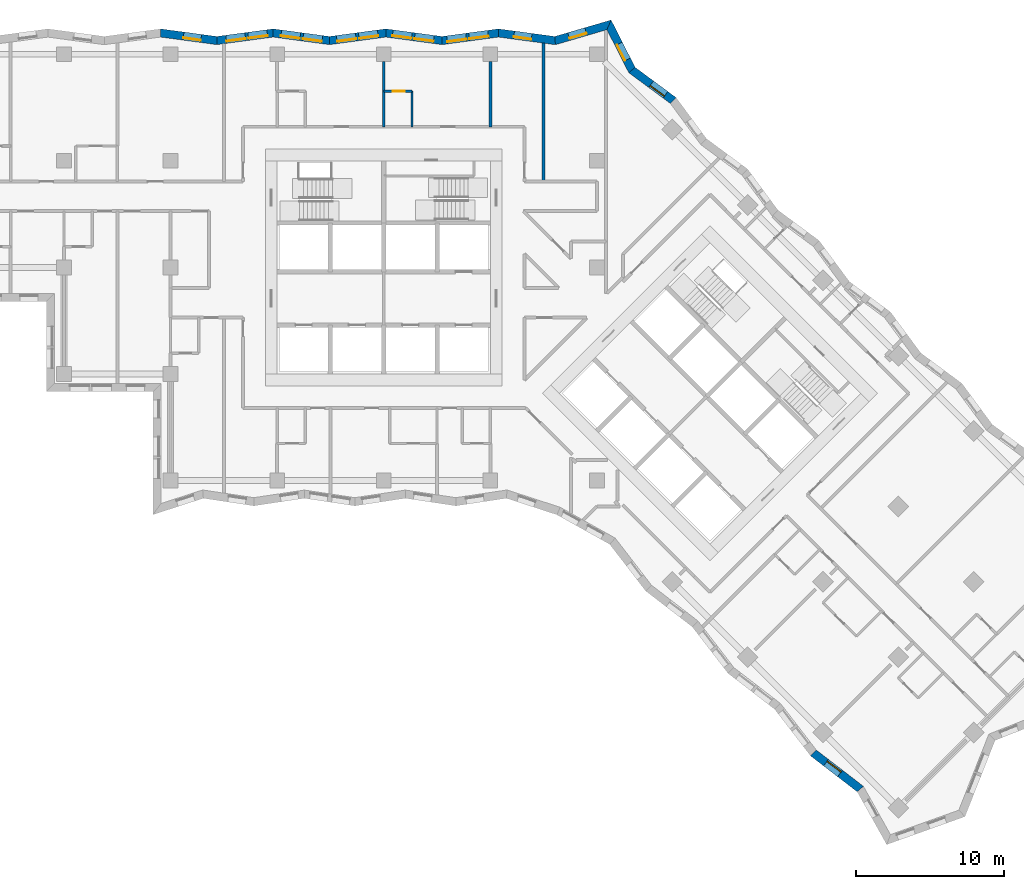
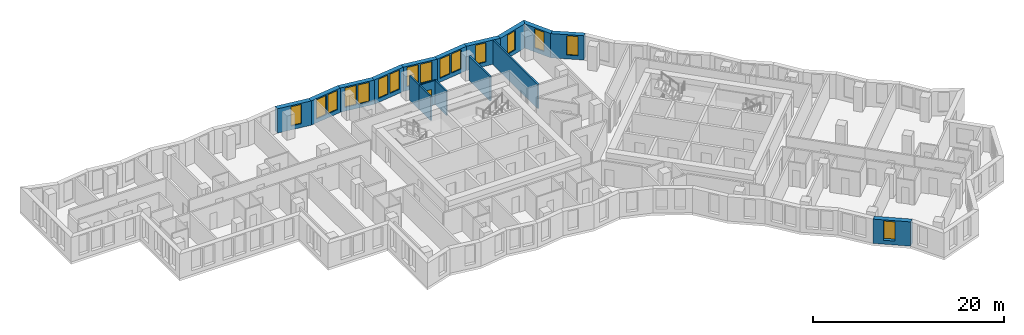
# One storey, part 7 of 13: 17 walls, 16 windows, 1 door, 17 openings.
"""IFC4 building model written with IfcOpenShell, lengths in metres."""

from ifc_helpers import new_model, si_unit, direction, frame, frame_2d, origin, place, context, subcontext, project, spatial, polyline, rectangle, outline, extrude, material, layer, layer_set, type_object, element, fill, save


model = new_model("IFC4")

# Units and contexts
model_context = context("Model", 3, precision=1e-05, world=origin(), true_north=direction((0.0, 1.0)))
body_context = subcontext(model_context, "Body", "Model", "MODEL_VIEW")
ifc_project = project(units=[si_unit("LENGTHUNIT", "METRE"), si_unit("AREAUNIT", "SQUARE_METRE"), si_unit("VOLUMEUNIT", "CUBIC_METRE"), si_unit("PLANEANGLEUNIT", "RADIAN"), si_unit("MASSUNIT", "GRAM", prefix="KILO")], contexts=[model_context])

# Site, building, storey
site_placement = place(None, origin())
site = spatial("IfcSite", under=ifc_project, at=site_placement, CompositionType="ELEMENT")
building_placement = place(site_placement, origin())
building = spatial("IfcBuilding", under=site, at=building_placement, Name="Windrow Commons", CompositionType="ELEMENT")
storey_placement = place(building_placement, frame((0.0, 0.0, 105.0)))
storey = spatial("IfcBuildingStorey", under=building, at=storey_placement, Name="L28", CompositionType="ELEMENT", Elevation=105.0)

# Wall, opening, window
ifc_material_1 = material(Name="Brick masonry, red clay brick", Category="masonry")
ifc_layer_1 = layer(ifc_material_1, 0.55)
ifc_layer_set_1 = layer_set([ifc_layer_1], Name="Brick facade wall 550")
wall_type_1 = type_object("IfcWallType", Name="Brick facade wall 550", PredefinedType="SOLIDWALL", material=ifc_layer_set_1)
wall_1_placement = place(storey_placement, frame((84.3611, 68.8668, 0.0), z_axis=(0.0, 0.0, 1.0), x_axis=(-0.8042329816, 0.594314152, 0.0)))
wall_1 = element("IfcWall", 1, at=wall_1_placement, inside=storey, type_object=wall_type_1, Name="Brick facade wall L28 19", PredefinedType="SOLIDWALL", context=body_context, shape_type="SweptSolid", body=[
    extrude(outline(polyline([(-0.0413, -0.275), (3.4082, -0.275), (3.5382, 0.275), (0.0413, 0.275), (-0.0413, -0.275)])), origin(), (0.0, 0.0, 1.0), 3.1),
])
opening_1_placement = place(wall_1_placement, frame((0.6658, 0.0, 0.5)))
opening_1 = element("IfcOpeningElement", 2, at=opening_1_placement, cuts=wall_1, Name="Opening W7D", PredefinedType="OPENING", context=body_context, shape_type="SweptSolid", body=[
    extrude(rectangle(XDim=1.2, YDim=2.45, at=frame_2d((0.6, 1.225))), frame((0.0, 0.285, 0.0), z_axis=(0.0, -1.0, 0.0), x_axis=(1.0, 0.0, 0.0)), (0.0, 0.0, 1.0), 0.57),
])
ifc_material_2 = material(Name="Clear float glass in anodised aluminium frame", Category="aluminium")
window_type_1 = type_object("IfcWindowType", Name="Window W7 notch 1200x2450", PartitioningType="SINGLE_PANEL", PredefinedType="WINDOW", material=ifc_material_2)
window_1_placement = place(opening_1_placement, origin())
window_1 = element("IfcWindow", 3, at=window_1_placement, inside=storey, type_object=window_type_1, Name="Window L28 19.1", OverallHeight=2.45, OverallWidth=1.2, PartitioningType="SINGLE_PANEL", PredefinedType="WINDOW", context=body_context, shape_type="SweptSolid", body=[
    extrude(rectangle(XDim=1.2, YDim=2.45, at=frame_2d((0.6, 1.225))), frame((0.0, 0.155, 0.0), z_axis=(0.0, -1.0, 0.0), x_axis=(1.0, 0.0, 0.0)), (0.0, 0.0, 1.0), 0.06),
])
fill(opening_1, window_1)

wall_2_placement = place(storey_placement, frame((81.5678, 70.931, 0.0), z_axis=(0.0, 0.0, 1.0), x_axis=(-0.4531369623, 0.8914409085, 0.0)))
wall_2 = element("IfcWall", 4, at=wall_2_placement, inside=storey, type_object=wall_type_1, Name="Brick facade wall L28 20", PredefinedType="SOLIDWALL", context=body_context, shape_type="SweptSolid", body=[
    extrude(outline(polyline([(0.065, -0.275), (3.6529, -0.275), (3.1967, 0.275), (-0.065, 0.275), (0.065, -0.275)])), origin(), (0.0, 0.0, 1.0), 3.1),
])
opening_2_placement = place(wall_2_placement, frame((0.778, 0.0, 0.5)))
opening_2 = element("IfcOpeningElement", 5, at=opening_2_placement, cuts=wall_2, Name="Opening W7D", PredefinedType="OPENING", context=body_context, shape_type="SweptSolid", body=[
    extrude(rectangle(XDim=1.2, YDim=2.45, at=frame_2d((0.6, 1.225))), frame((0.0, 0.285, 0.0), z_axis=(0.0, -1.0, 0.0), x_axis=(1.0, 0.0, 0.0)), (0.0, 0.0, 1.0), 0.57),
])
window_2_placement = place(opening_2_placement, origin())
window_2 = element("IfcWindow", 6, at=window_2_placement, inside=storey, type_object=window_type_1, Name="Window L28 20.1", OverallHeight=2.45, OverallWidth=1.2, PartitioningType="SINGLE_PANEL", PredefinedType="WINDOW", context=body_context, shape_type="SweptSolid", body=[
    extrude(rectangle(XDim=1.2, YDim=2.45, at=frame_2d((0.6, 1.225))), frame((0.0, 0.155, 0.0), z_axis=(0.0, -1.0, 0.0), x_axis=(1.0, 0.0, 0.0)), (0.0, 0.0, 1.0), 0.06),
])
fill(opening_2, window_2)

wall_3_placement = place(storey_placement, frame((80.0159, 73.984, 0.0), z_axis=(0.0, 0.0, 1.0), x_axis=(-0.959842199, -0.2805404659, 0.0)))
wall_3 = element("IfcWall", 7, at=wall_3_placement, inside=storey, type_object=wall_type_1, Name="Brick facade wall L28 21", PredefinedType="SOLIDWALL", context=body_context, shape_type="SweptSolid", body=[
    extrude(outline(polyline([(-0.2281, -0.275), (3.7354, -0.275), (3.8521, 0.275), (0.2281, 0.275), (-0.2281, -0.275)])), origin(), (0.0, 0.0, 1.0), 3.1),
])
opening_3_placement = place(wall_3_placement, frame((1.6219, 0.0, 0.5)))
opening_3 = element("IfcOpeningElement", 8, at=opening_3_placement, cuts=wall_3, Name="Opening W7D", PredefinedType="OPENING", context=body_context, shape_type="SweptSolid", body=[
    extrude(rectangle(XDim=1.2, YDim=2.45, at=frame_2d((0.6, 1.225))), frame((0.0, 0.285, 0.0), z_axis=(0.0, -1.0, 0.0), x_axis=(1.0, 0.0, 0.0)), (0.0, 0.0, 1.0), 0.57),
])
window_3_placement = place(opening_3_placement, origin())
window_3 = element("IfcWindow", 9, at=window_3_placement, inside=storey, type_object=window_type_1, Name="Window L28 21.1", OverallHeight=2.45, OverallWidth=1.2, PartitioningType="SINGLE_PANEL", PredefinedType="WINDOW", context=body_context, shape_type="SweptSolid", body=[
    extrude(rectangle(XDim=1.2, YDim=2.45, at=frame_2d((0.6, 1.225))), frame((0.0, 0.155, 0.0), z_axis=(0.0, -1.0, 0.0), x_axis=(1.0, 0.0, 0.0)), (0.0, 0.0, 1.0), 0.06),
])
fill(opening_3, window_3)

wall_4_placement = place(storey_placement, frame((76.3745, 72.9197, 0.0), z_axis=(0.0, 0.0, 1.0), x_axis=(-0.9910665233, 0.1333684607, 0.0)))
wall_4 = element("IfcWall", 10, at=wall_4_placement, inside=storey, type_object=wall_type_1, Name="Brick facade wall L28 22", PredefinedType="SOLIDWALL", context=body_context, shape_type="SweptSolid", body=[
    extrude(outline(polyline([(0.0583, -0.275), (3.897, -0.275), (3.823, 0.275), (-0.0583, 0.275), (0.0583, -0.275)])), origin(), (0.0, 0.0, 1.0), 3.1),
])
opening_4_placement = place(wall_4_placement, frame((1.6022, 0.0, 0.5)))
opening_4 = element("IfcOpeningElement", 11, at=opening_4_placement, cuts=wall_4, Name="Opening W7D", PredefinedType="OPENING", context=body_context, shape_type="SweptSolid", body=[
    extrude(rectangle(XDim=1.2, YDim=2.45, at=frame_2d((0.6, 1.225))), frame((0.0, 0.285, 0.0), z_axis=(0.0, -1.0, 0.0), x_axis=(1.0, 0.0, 0.0)), (0.0, 0.0, 1.0), 0.57),
])
window_4_placement = place(opening_4_placement, origin())
window_4 = element("IfcWindow", 12, at=window_4_placement, inside=storey, type_object=window_type_1, Name="Window L28 22.1", OverallHeight=2.45, OverallWidth=1.2, PartitioningType="SINGLE_PANEL", PredefinedType="WINDOW", context=body_context, shape_type="SweptSolid", body=[
    extrude(rectangle(XDim=1.2, YDim=2.45, at=frame_2d((0.6, 1.225))), frame((0.0, 0.155, 0.0), z_axis=(0.0, -1.0, 0.0), x_axis=(1.0, 0.0, 0.0)), (0.0, 0.0, 1.0), 0.06),
])
fill(opening_4, window_4)

# Wall, openings, windows
wall_5_placement = place(storey_placement, frame((72.549, 73.4345, 0.0), z_axis=(0.0, 0.0, 1.0), x_axis=(-0.9910651652, -0.1333785524, 0.0)))
wall_5 = element("IfcWall", 13, at=wall_5_placement, inside=storey, type_object=wall_type_1, Name="Brick facade wall L28 23", PredefinedType="SOLIDWALL", context=body_context, shape_type="SweptSolid", body=[
    extrude(outline(polyline([(-0.037, -0.275), (3.8016, -0.275), (3.8757, 0.275), (0.037, 0.275), (-0.037, -0.275)])), origin(), (0.0, 0.0, 1.0), 3.1),
])
opening_5_placement = place(wall_5_placement, frame((0.6963, 0.0, 0.5)))
opening_5 = element("IfcOpeningElement", 14, at=opening_5_placement, cuts=wall_5, Name="Opening W1P", PredefinedType="OPENING", context=body_context, shape_type="SweptSolid", body=[
    extrude(rectangle(XDim=1.3, YDim=2.45, at=frame_2d((0.65, 1.225))), frame((0.0, 0.285, 0.0), z_axis=(0.0, -1.0, 0.0), x_axis=(1.0, 0.0, 0.0)), (0.0, 0.0, 1.0), 0.57),
])
opening_6_placement = place(wall_5_placement, frame((2.1963, 0.0, 0.5)))
opening_6 = element("IfcOpeningElement", 15, at=opening_6_placement, cuts=wall_5, Name="Opening W1P", PredefinedType="OPENING", context=body_context, shape_type="SweptSolid", body=[
    extrude(rectangle(XDim=1.3, YDim=2.45, at=frame_2d((0.65, 1.225))), frame((0.0, 0.285, 0.0), z_axis=(0.0, -1.0, 0.0), x_axis=(1.0, 0.0, 0.0)), (0.0, 0.0, 1.0), 0.57),
])
ifc_material_3 = material(Name="Clear float glass in anodised aluminium frame", Category="aluminium")
window_type_2 = type_object("IfcWindowType", Name="Window W1P pair 1300x2450", PartitioningType="SINGLE_PANEL", PredefinedType="WINDOW", material=ifc_material_3)
window_5_placement = place(opening_5_placement, origin())
window_5 = element("IfcWindow", 16, at=window_5_placement, inside=storey, type_object=window_type_2, Name="Window L28 23.1A", OverallHeight=2.45, OverallWidth=1.3, PartitioningType="SINGLE_PANEL", PredefinedType="WINDOW", context=body_context, shape_type="SweptSolid", body=[
    extrude(rectangle(XDim=1.3, YDim=2.45, at=frame_2d((0.65, 1.225))), frame((0.0, 0.155, 0.0), z_axis=(0.0, -1.0, 0.0), x_axis=(1.0, 0.0, 0.0)), (0.0, 0.0, 1.0), 0.06),
])
fill(opening_5, window_5)
window_6_placement = place(opening_6_placement, origin())
window_6 = element("IfcWindow", 17, at=window_6_placement, inside=storey, type_object=window_type_2, Name="Window L28 23.1B", OverallHeight=2.45, OverallWidth=1.3, PartitioningType="SINGLE_PANEL", PredefinedType="WINDOW", context=body_context, shape_type="SweptSolid", body=[
    extrude(rectangle(XDim=1.3, YDim=2.45, at=frame_2d((0.65, 1.225))), frame((0.0, 0.155, 0.0), z_axis=(0.0, -1.0, 0.0), x_axis=(1.0, 0.0, 0.0)), (0.0, 0.0, 1.0), 0.06),
])
fill(opening_6, window_6)

wall_6_placement = place(storey_placement, frame((68.7446, 72.9225, 0.0), z_axis=(0.0, 0.0, 1.0), x_axis=(-0.9910647018, 0.133381996, 0.0)))
wall_6 = element("IfcWall", 18, at=wall_6_placement, inside=storey, type_object=wall_type_1, Name="Brick facade wall L28 24", PredefinedType="SOLIDWALL", context=body_context, shape_type="SweptSolid", body=[
    extrude(outline(polyline([(0.037, -0.275), (3.8757, -0.275), (3.8016, 0.275), (-0.037, 0.275), (0.037, -0.275)])), origin(), (0.0, 0.0, 1.0), 3.1),
])
opening_7_placement = place(wall_6_placement, frame((0.5747, 0.0, 0.5)))
opening_7 = element("IfcOpeningElement", 19, at=opening_7_placement, cuts=wall_6, Name="Opening W1P", PredefinedType="OPENING", context=body_context, shape_type="SweptSolid", body=[
    extrude(rectangle(XDim=1.3, YDim=2.45, at=frame_2d((0.65, 1.225))), frame((0.0, 0.285, 0.0), z_axis=(0.0, -1.0, 0.0), x_axis=(1.0, 0.0, 0.0)), (0.0, 0.0, 1.0), 0.57),
])
opening_8_placement = place(wall_6_placement, frame((2.0747, 0.0, 0.5)))
opening_8 = element("IfcOpeningElement", 20, at=opening_8_placement, cuts=wall_6, Name="Opening W1P", PredefinedType="OPENING", context=body_context, shape_type="SweptSolid", body=[
    extrude(rectangle(XDim=1.3, YDim=2.45, at=frame_2d((0.65, 1.225))), frame((0.0, 0.285, 0.0), z_axis=(0.0, -1.0, 0.0), x_axis=(1.0, 0.0, 0.0)), (0.0, 0.0, 1.0), 0.57),
])
window_7_placement = place(opening_7_placement, origin())
window_7 = element("IfcWindow", 21, at=window_7_placement, inside=storey, type_object=window_type_2, Name="Window L28 24.1A", OverallHeight=2.45, OverallWidth=1.3, PartitioningType="SINGLE_PANEL", PredefinedType="WINDOW", context=body_context, shape_type="SweptSolid", body=[
    extrude(rectangle(XDim=1.3, YDim=2.45, at=frame_2d((0.65, 1.225))), frame((0.0, 0.155, 0.0), z_axis=(0.0, -1.0, 0.0), x_axis=(1.0, 0.0, 0.0)), (0.0, 0.0, 1.0), 0.06),
])
fill(opening_7, window_7)
window_8_placement = place(opening_8_placement, origin())
window_8 = element("IfcWindow", 22, at=window_8_placement, inside=storey, type_object=window_type_2, Name="Window L28 24.1B", OverallHeight=2.45, OverallWidth=1.3, PartitioningType="SINGLE_PANEL", PredefinedType="WINDOW", context=body_context, shape_type="SweptSolid", body=[
    extrude(rectangle(XDim=1.3, YDim=2.45, at=frame_2d((0.65, 1.225))), frame((0.0, 0.155, 0.0), z_axis=(0.0, -1.0, 0.0), x_axis=(1.0, 0.0, 0.0)), (0.0, 0.0, 1.0), 0.06),
])
fill(opening_8, window_8)

wall_7_placement = place(storey_placement, frame((64.9403, 73.4345, 0.0), z_axis=(0.0, 0.0, 1.0), x_axis=(-0.9910651652, -0.1333785524, 0.0)))
wall_7 = element("IfcWall", 23, at=wall_7_placement, inside=storey, type_object=wall_type_1, Name="Brick facade wall L28 25", PredefinedType="SOLIDWALL", context=body_context, shape_type="SweptSolid", body=[
    extrude(outline(polyline([(-0.037, -0.275), (3.8016, -0.275), (3.8757, 0.275), (0.037, 0.275), (-0.037, -0.275)])), origin(), (0.0, 0.0, 1.0), 3.1),
])
opening_9_placement = place(wall_7_placement, frame((0.5378, 0.0, 0.5)))
opening_9 = element("IfcOpeningElement", 24, at=opening_9_placement, cuts=wall_7, Name="Opening W1P", PredefinedType="OPENING", context=body_context, shape_type="SweptSolid", body=[
    extrude(rectangle(XDim=1.3, YDim=2.45, at=frame_2d((0.65, 1.225))), frame((0.0, 0.285, 0.0), z_axis=(0.0, -1.0, 0.0), x_axis=(1.0, 0.0, 0.0)), (0.0, 0.0, 1.0), 0.57),
])
opening_10_placement = place(wall_7_placement, frame((2.0378, 0.0, 0.5)))
opening_10 = element("IfcOpeningElement", 25, at=opening_10_placement, cuts=wall_7, Name="Opening W1P", PredefinedType="OPENING", context=body_context, shape_type="SweptSolid", body=[
    extrude(rectangle(XDim=1.3, YDim=2.45, at=frame_2d((0.65, 1.225))), frame((0.0, 0.285, 0.0), z_axis=(0.0, -1.0, 0.0), x_axis=(1.0, 0.0, 0.0)), (0.0, 0.0, 1.0), 0.57),
])
window_9_placement = place(opening_9_placement, origin())
window_9 = element("IfcWindow", 26, at=window_9_placement, inside=storey, type_object=window_type_2, Name="Window L28 25.1A", OverallHeight=2.45, OverallWidth=1.3, PartitioningType="SINGLE_PANEL", PredefinedType="WINDOW", context=body_context, shape_type="SweptSolid", body=[
    extrude(rectangle(XDim=1.3, YDim=2.45, at=frame_2d((0.65, 1.225))), frame((0.0, 0.155, 0.0), z_axis=(0.0, -1.0, 0.0), x_axis=(1.0, 0.0, 0.0)), (0.0, 0.0, 1.0), 0.06),
])
fill(opening_9, window_9)
window_10_placement = place(opening_10_placement, origin())
window_10 = element("IfcWindow", 27, at=window_10_placement, inside=storey, type_object=window_type_2, Name="Window L28 25.1B", OverallHeight=2.45, OverallWidth=1.3, PartitioningType="SINGLE_PANEL", PredefinedType="WINDOW", context=body_context, shape_type="SweptSolid", body=[
    extrude(rectangle(XDim=1.3, YDim=2.45, at=frame_2d((0.65, 1.225))), frame((0.0, 0.155, 0.0), z_axis=(0.0, -1.0, 0.0), x_axis=(1.0, 0.0, 0.0)), (0.0, 0.0, 1.0), 0.06),
])
fill(opening_10, window_10)

wall_8_placement = place(storey_placement, frame((61.1359, 72.9225, 0.0), z_axis=(0.0, 0.0, 1.0), x_axis=(-0.9910647018, 0.133381996, 0.0)))
wall_8 = element("IfcWall", 28, at=wall_8_placement, inside=storey, type_object=wall_type_1, Name="Brick facade wall L28 26", PredefinedType="SOLIDWALL", context=body_context, shape_type="SweptSolid", body=[
    extrude(outline(polyline([(0.037, -0.275), (3.8757, -0.275), (3.8016, 0.275), (-0.037, 0.275), (0.037, -0.275)])), origin(), (0.0, 0.0, 1.0), 3.1),
])
opening_11_placement = place(wall_8_placement, frame((0.5008, 0.0, 0.5)))
opening_11 = element("IfcOpeningElement", 29, at=opening_11_placement, cuts=wall_8, Name="Opening W1P", PredefinedType="OPENING", context=body_context, shape_type="SweptSolid", body=[
    extrude(rectangle(XDim=1.3, YDim=2.45, at=frame_2d((0.65, 1.225))), frame((0.0, 0.285, 0.0), z_axis=(0.0, -1.0, 0.0), x_axis=(1.0, 0.0, 0.0)), (0.0, 0.0, 1.0), 0.57),
])
opening_12_placement = place(wall_8_placement, frame((2.0008, 0.0, 0.5)))
opening_12 = element("IfcOpeningElement", 30, at=opening_12_placement, cuts=wall_8, Name="Opening W1P", PredefinedType="OPENING", context=body_context, shape_type="SweptSolid", body=[
    extrude(rectangle(XDim=1.3, YDim=2.45, at=frame_2d((0.65, 1.225))), frame((0.0, 0.285, 0.0), z_axis=(0.0, -1.0, 0.0), x_axis=(1.0, 0.0, 0.0)), (0.0, 0.0, 1.0), 0.57),
])
window_11_placement = place(opening_11_placement, origin())
window_11 = element("IfcWindow", 31, at=window_11_placement, inside=storey, type_object=window_type_2, Name="Window L28 26.1A", OverallHeight=2.45, OverallWidth=1.3, PartitioningType="SINGLE_PANEL", PredefinedType="WINDOW", context=body_context, shape_type="SweptSolid", body=[
    extrude(rectangle(XDim=1.3, YDim=2.45, at=frame_2d((0.65, 1.225))), frame((0.0, 0.155, 0.0), z_axis=(0.0, -1.0, 0.0), x_axis=(1.0, 0.0, 0.0)), (0.0, 0.0, 1.0), 0.06),
])
fill(opening_11, window_11)
window_12_placement = place(opening_12_placement, origin())
window_12 = element("IfcWindow", 32, at=window_12_placement, inside=storey, type_object=window_type_2, Name="Window L28 26.1B", OverallHeight=2.45, OverallWidth=1.3, PartitioningType="SINGLE_PANEL", PredefinedType="WINDOW", context=body_context, shape_type="SweptSolid", body=[
    extrude(rectangle(XDim=1.3, YDim=2.45, at=frame_2d((0.65, 1.225))), frame((0.0, 0.155, 0.0), z_axis=(0.0, -1.0, 0.0), x_axis=(1.0, 0.0, 0.0)), (0.0, 0.0, 1.0), 0.06),
])
fill(opening_12, window_12)

wall_9_placement = place(storey_placement, frame((57.3316, 73.4345, 0.0), z_axis=(0.0, 0.0, 1.0), x_axis=(-0.9910651652, -0.1333785524, 0.0)))
wall_9 = element("IfcWall", 33, at=wall_9_placement, inside=storey, type_object=wall_type_1, Name="Brick facade wall L28 27", PredefinedType="SOLIDWALL", context=body_context, shape_type="SweptSolid", body=[
    extrude(outline(polyline([(-0.037, -0.275), (3.8016, -0.275), (3.8757, 0.275), (0.037, 0.275), (-0.037, -0.275)])), origin(), (0.0, 0.0, 1.0), 3.1),
])
opening_13_placement = place(wall_9_placement, frame((0.3993, 0.0, 0.5)))
opening_13 = element("IfcOpeningElement", 34, at=opening_13_placement, cuts=wall_9, Name="Opening W1P", PredefinedType="OPENING", context=body_context, shape_type="SweptSolid", body=[
    extrude(rectangle(XDim=1.3, YDim=2.45, at=frame_2d((0.65, 1.225))), frame((0.0, 0.285, 0.0), z_axis=(0.0, -1.0, 0.0), x_axis=(1.0, 0.0, 0.0)), (0.0, 0.0, 1.0), 0.57),
])
opening_14_placement = place(wall_9_placement, frame((1.8993, 0.0, 0.5)))
opening_14 = element("IfcOpeningElement", 35, at=opening_14_placement, cuts=wall_9, Name="Opening W1P", PredefinedType="OPENING", context=body_context, shape_type="SweptSolid", body=[
    extrude(rectangle(XDim=1.3, YDim=2.45, at=frame_2d((0.65, 1.225))), frame((0.0, 0.285, 0.0), z_axis=(0.0, -1.0, 0.0), x_axis=(1.0, 0.0, 0.0)), (0.0, 0.0, 1.0), 0.57),
])
window_13_placement = place(opening_13_placement, origin())
window_13 = element("IfcWindow", 36, at=window_13_placement, inside=storey, type_object=window_type_2, Name="Window L28 27.1A", OverallHeight=2.45, OverallWidth=1.3, PartitioningType="SINGLE_PANEL", PredefinedType="WINDOW", context=body_context, shape_type="SweptSolid", body=[
    extrude(rectangle(XDim=1.3, YDim=2.45, at=frame_2d((0.65, 1.225))), frame((0.0, 0.155, 0.0), z_axis=(0.0, -1.0, 0.0), x_axis=(1.0, 0.0, 0.0)), (0.0, 0.0, 1.0), 0.06),
])
fill(opening_13, window_13)
window_14_placement = place(opening_14_placement, origin())
window_14 = element("IfcWindow", 37, at=window_14_placement, inside=storey, type_object=window_type_2, Name="Window L28 27.1B", OverallHeight=2.45, OverallWidth=1.3, PartitioningType="SINGLE_PANEL", PredefinedType="WINDOW", context=body_context, shape_type="SweptSolid", body=[
    extrude(rectangle(XDim=1.3, YDim=2.45, at=frame_2d((0.65, 1.225))), frame((0.0, 0.155, 0.0), z_axis=(0.0, -1.0, 0.0), x_axis=(1.0, 0.0, 0.0)), (0.0, 0.0, 1.0), 0.06),
])
fill(opening_14, window_14)

# Wall, opening, window
wall_10_placement = place(storey_placement, frame((53.5272, 72.9225, 0.0), z_axis=(0.0, 0.0, 1.0), x_axis=(-0.9910647018, 0.133381996, 0.0)))
wall_10 = element("IfcWall", 38, at=wall_10_placement, inside=storey, type_object=wall_type_1, Name="Brick facade wall L28 28", PredefinedType="SOLIDWALL", context=body_context, shape_type="SweptSolid", body=[
    extrude(outline(polyline([(0.037, -0.275), (3.8757, -0.275), (3.8016, 0.275), (-0.037, 0.275), (0.037, -0.275)])), origin(), (0.0, 0.0, 1.0), 3.1),
])
opening_15_placement = place(wall_10_placement, frame((1.0777, 0.0, 0.5)))
opening_15 = element("IfcOpeningElement", 39, at=opening_15_placement, cuts=wall_10, Name="Opening W7D", PredefinedType="OPENING", context=body_context, shape_type="SweptSolid", body=[
    extrude(rectangle(XDim=1.2, YDim=2.45, at=frame_2d((0.6, 1.225))), frame((0.0, 0.285, 0.0), z_axis=(0.0, -1.0, 0.0), x_axis=(1.0, 0.0, 0.0)), (0.0, 0.0, 1.0), 0.57),
])
window_15_placement = place(opening_15_placement, origin())
window_15 = element("IfcWindow", 40, at=window_15_placement, inside=storey, type_object=window_type_1, Name="Window L28 28.1", OverallHeight=2.45, OverallWidth=1.2, PartitioningType="SINGLE_PANEL", PredefinedType="WINDOW", context=body_context, shape_type="SweptSolid", body=[
    extrude(rectangle(XDim=1.2, YDim=2.45, at=frame_2d((0.6, 1.225))), frame((0.0, 0.155, 0.0), z_axis=(0.0, -1.0, 0.0), x_axis=(1.0, 0.0, 0.0)), (0.0, 0.0, 1.0), 0.06),
])
fill(opening_15, window_15)

wall_11_placement = place(storey_placement, frame((93.828, 24.7961, 0.0), z_axis=(0.0, 0.0, 1.0), x_axis=(0.7923473889, -0.6100701725, 0.0)))
wall_11 = element("IfcWall", 41, at=wall_11_placement, inside=storey, type_object=wall_type_1, Name="Brick facade wall L28 58", PredefinedType="SOLIDWALL", context=body_context, shape_type="SweptSolid", body=[
    extrude(outline(polyline([(-0.0357, -0.275), (3.9365, -0.275), (4.0493, 0.275), (0.0357, 0.275), (-0.0357, -0.275)])), origin(), (0.0, 0.0, 1.0), 3.1),
])
opening_16_placement = place(wall_11_placement, frame((1.07, 0.0, 0.5)))
opening_16 = element("IfcOpeningElement", 42, at=opening_16_placement, cuts=wall_11, Name="Opening W7D", PredefinedType="OPENING", context=body_context, shape_type="SweptSolid", body=[
    extrude(rectangle(XDim=1.2, YDim=2.45, at=frame_2d((0.6, 1.225))), frame((0.0, 0.285, 0.0), z_axis=(0.0, -1.0, 0.0), x_axis=(1.0, 0.0, 0.0)), (0.0, 0.0, 1.0), 0.57),
])
window_16_placement = place(opening_16_placement, origin())
window_16 = element("IfcWindow", 43, at=window_16_placement, inside=storey, type_object=window_type_1, Name="Window L28 58.1", OverallHeight=2.45, OverallWidth=1.2, PartitioningType="SINGLE_PANEL", PredefinedType="WINDOW", context=body_context, shape_type="SweptSolid", body=[
    extrude(rectangle(XDim=1.2, YDim=2.45, at=frame_2d((0.6, 1.225))), frame((0.0, 0.155, 0.0), z_axis=(0.0, -1.0, 0.0), x_axis=(1.0, 0.0, 0.0)), (0.0, 0.0, 1.0), 0.06),
])
fill(opening_16, window_16)

# Walls
ifc_material_4 = material(Name="Blockwork partition", Category="masonry")
ifc_layer_2 = layer(ifc_material_4, 0.15)
ifc_layer_set_2 = layer_set([ifc_layer_2], Name="IW-ENSUITE-150")
wall_type_2 = type_object("IfcWallType", Name="IW-ENSUITE-150", PredefinedType="PARTITIONING", material=ifc_layer_set_2)
for number, where, z_axis, x_axis, name in (
    (44, (64.8, 67.1, 0.0), (0.0, 0.0, 1.0), (0.0, 1.0, 0.0), "W-L28-W074"),
    (45, (66.7, 67.1, 0.0), (0.0, 0.0, 1.0), (0.0, 1.0, 0.0), "W-L28-W075"),
):
    element("IfcWall", number, at=place(storey_placement, frame(where, z_axis=z_axis, x_axis=x_axis)), inside=storey, type_object=wall_type_2, Name=name, PredefinedType="PARTITIONING", context=body_context, shape_type="SweptSolid", body=[
        extrude(rectangle(XDim=2.4, YDim=0.15, at=frame_2d((1.2, 0.0))), origin(), (0.0, 0.0, 1.0), 3.1),
    ])

# Wall, opening, door
wall_12_placement = place(storey_placement, frame((64.8, 69.5, 0.0), z_axis=(0.0, 0.0, 1.0), x_axis=(1.0, 0.0, 0.0)))
wall_12 = element("IfcWall", 46, at=wall_12_placement, inside=storey, type_object=wall_type_2, Name="W-L28-W120", PredefinedType="PARTITIONING", context=body_context, shape_type="SweptSolid", body=[
    extrude(rectangle(XDim=1.9, YDim=0.15, at=frame_2d((0.95, 0.0))), origin(), (0.0, 0.0, 1.0), 3.1),
])
opening_17_placement = place(wall_12_placement, frame((0.6069, 0.0, 0.0)))
opening_17 = element("IfcOpeningElement", 47, at=opening_17_placement, cuts=wall_12, Name="Opening D208N", PredefinedType="OPENING", context=body_context, shape_type="SweptSolid", body=[
    extrude(rectangle(XDim=0.8, YDim=2.1, at=frame_2d((0.4, 1.05))), frame((0.0, 0.085, 0.0), z_axis=(0.0, -1.0, 0.0), x_axis=(1.0, 0.0, 0.0)), (0.0, 0.0, 1.0), 0.17),
])
ifc_material_5 = material(Name="Timber door leaf", Category="wood")
door_type = type_object("IfcDoorType", Name="DT-ENSUITE-800", OperationType="SINGLE_SWING_LEFT", PredefinedType="DOOR", material=ifc_material_5)
door_placement = place(opening_17_placement, origin())
door = element("IfcDoor", 48, at=door_placement, inside=storey, type_object=door_type, Name="D-L28-D027", OperationType="SINGLE_SWING_RIGHT", OverallHeight=2.1, OverallWidth=0.8, PredefinedType="DOOR", context=body_context, shape_type="SweptSolid", body=[
    extrude(rectangle(XDim=0.8, YDim=2.1, at=frame_2d((0.4, 1.05))), frame((0.0, 0.025, 0.0), z_axis=(0.0, -1.0, 0.0), x_axis=(1.0, 0.0, 0.0)), (0.0, 0.0, 1.0), 0.05),
])
fill(opening_17, door)

# Walls
ifc_material_6 = material(Name="Blockwork partition", Category="masonry")
ifc_layer_3 = layer(ifc_material_6, 0.2)
ifc_layer_set_3 = layer_set([ifc_layer_3], Name="IW-PARTY-200")
wall_type_3 = type_object("IfcWallType", Name="IW-PARTY-200", PredefinedType="PARTITIONING", material=ifc_layer_set_3)
wall_13_placement = place(storey_placement, frame((75.6, 63.4, 0.0), z_axis=(0.0, 0.0, 1.0), x_axis=(0.0, 1.0, 0.0)))
element("IfcWall", 49, at=wall_13_placement, inside=storey, type_object=wall_type_3, Name="W-L28-W014", PredefinedType="PARTITIONING", context=body_context, shape_type="SweptSolid", body=[
    extrude(rectangle(XDim=9.3464, YDim=0.2, at=frame_2d((4.6732, 0.0))), origin(), (0.0, 0.0, 1.0), 3.1),
])
wall_14_placement = place(storey_placement, frame((72.0, 67.1, 0.0), z_axis=(0.0, 0.0, 1.0), x_axis=(0.0, 1.0, 0.0)))
element("IfcWall", 50, at=wall_14_placement, inside=storey, type_object=wall_type_3, Name="W-L28-W046", PredefinedType="PARTITIONING", context=body_context, shape_type="SweptSolid", body=[
    extrude(rectangle(XDim=4.4, YDim=0.2, at=frame_2d((2.2, 0.0))), origin(), (0.0, 0.0, 1.0), 3.1),
])
wall_15_placement = place(storey_placement, frame((64.8, 69.5, 0.0), z_axis=(0.0, 0.0, 1.0), x_axis=(0.0, 1.0, 0.0)))
element("IfcWall", 51, at=wall_15_placement, inside=storey, type_object=wall_type_3, Name="W-L28-W108", PredefinedType="PARTITIONING", context=body_context, shape_type="SweptSolid", body=[
    extrude(rectangle(XDim=2.0, YDim=0.2, at=frame_2d((1.0, 0.0))), origin(), (0.0, 0.0, 1.0), 3.1),
])

save(model, "model.ifc")
